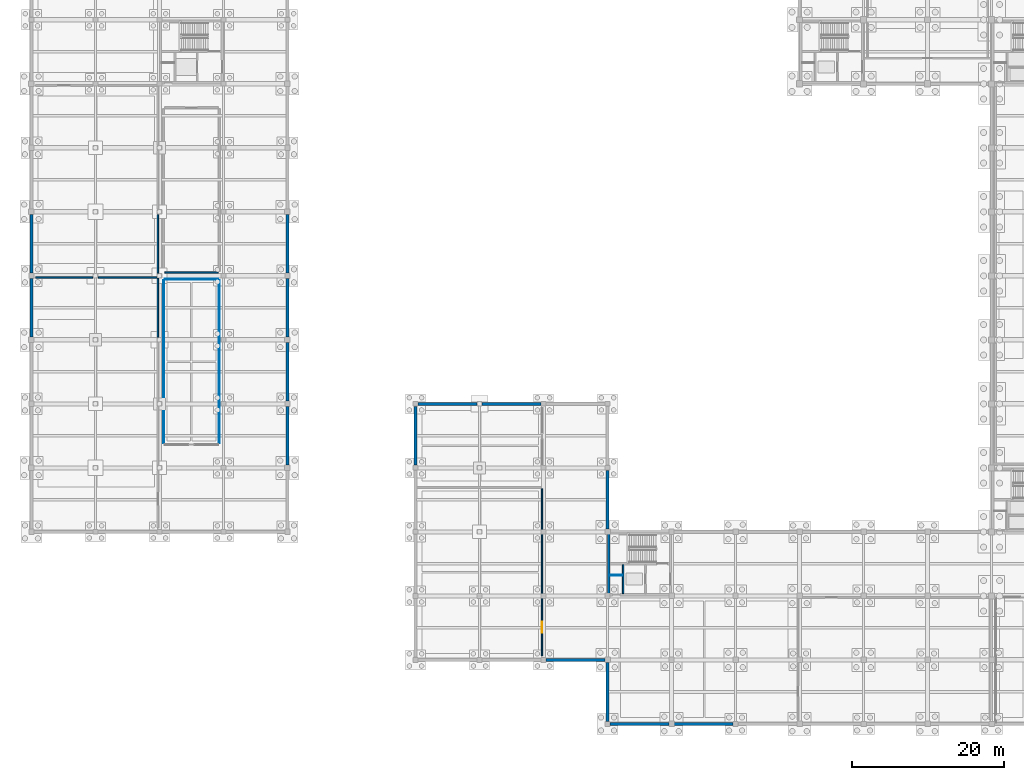
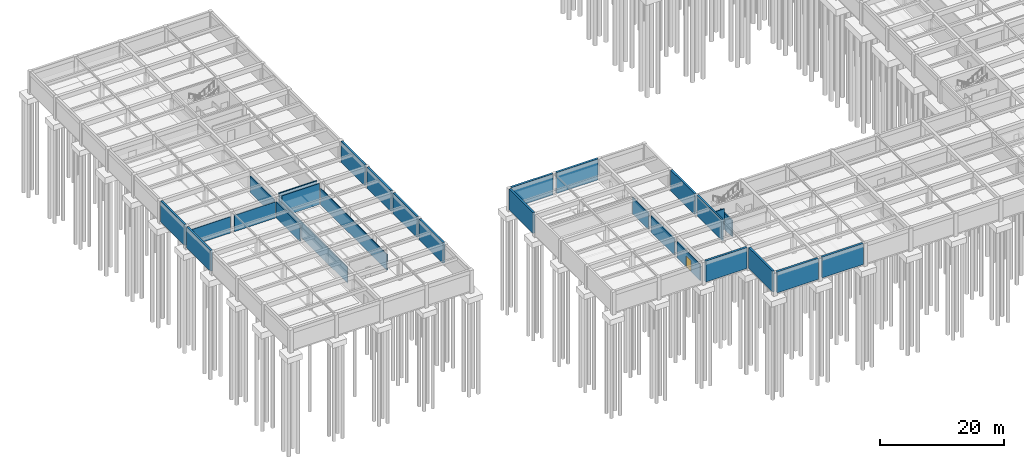
# One storey, part 17 of 33: 28 walls, 1 door, 1 opening.
"""IFC4 building model written with IfcOpenShell, lengths in metres."""

from ifc_helpers import new_model, si_unit, direction, frame, frame_2d, origin, place, context, subcontext, project, spatial, rectangle, extrude, material, layer, layer_set, type_object, element, fill, save


model = new_model("IFC4")

# Units and contexts
model_context = context("Model", 3, precision=1e-05, world=origin(), true_north=direction((0.0, 1.0)))
body_context = subcontext(model_context, "Body", "Model", "MODEL_VIEW")
ifc_project = project(units=[si_unit("LENGTHUNIT", "METRE"), si_unit("AREAUNIT", "SQUARE_METRE"), si_unit("VOLUMEUNIT", "CUBIC_METRE"), si_unit("PLANEANGLEUNIT", "RADIAN"), si_unit("MASSUNIT", "GRAM", prefix="KILO")], contexts=[model_context])

# Site, building, storey
site_placement = place(None, origin())
site = spatial("IfcSite", under=ifc_project, at=site_placement, CompositionType="ELEMENT")
building_placement = place(site_placement, origin())
building = spatial("IfcBuilding", under=site, at=building_placement, Name="Kveldsbrygga Polytechnic", CompositionType="ELEMENT")
storey_placement = place(building_placement, frame((0.0, 0.0, -4.419921875)))
storey = spatial("IfcBuildingStorey", under=building, at=storey_placement, Name="B1", CompositionType="ELEMENT", Elevation=-4.419921875)

# Wall, opening, door
ifc_material_1 = material(Name="Gypsum acoustic stud partition")
ifc_layer_1 = layer(ifc_material_1, 0.179931640625)
ifc_layer_set_1 = layer_set([ifc_layer_1], Name="Gypsum acoustic stud partition")
wall_type_1 = type_object("IfcWallType", Name="IW-CORR-180", PredefinedType="PARTITIONING", material=ifc_layer_set_1)
wall_1_placement = place(storey_placement, frame((67.0, 8.949951171875, 0.0), z_axis=(0.0, 0.0, 1.0), x_axis=(0.0, 1.0, 0.0)))
wall_1 = element("IfcWall", 1, at=wall_1_placement, inside=storey, type_object=wall_type_1, Name="Partition Wall IW-SP-B1-CYCLE-E1", PredefinedType="PARTITIONING", context=body_context, shape_type="SweptSolid", body=[
    extrude(rectangle(XDim=7.47998046875, YDim=0.179931640625, at=frame_2d((3.739990234375, 0.0))), origin(), (0.0, 0.0, 1.0), 3.219970703125),
])
opening_placement = place(wall_1_placement, frame((2.989990234375, 0.0, 0.0)))
opening = element("IfcOpeningElement", 2, at=opening_placement, cuts=wall_1, Name="Opening ID-B1-005", PredefinedType="OPENING", context=body_context, shape_type="SweptSolid", body=[
    extrude(rectangle(XDim=1.5, YDim=2.199951171875, at=frame_2d((0.75, 1.10009765625))), frame((0.0, 0.10009765625, 0.0), z_axis=(0.0, -1.0, 0.0), x_axis=(1.0, 0.0, 0.0)), (0.0, 0.0, 1.0), 0.199951171875),
])
ifc_material_2 = material(Name="Acoustic oak timber", Category="wood")
door_type = type_object("IfcDoorType", Name="ID-LAB-150x220", OperationType="DOUBLE_DOOR_SINGLE_SWING", PredefinedType="DOOR", material=ifc_material_2)
door_placement = place(opening_placement, origin())
door = element("IfcDoor", 3, at=door_placement, inside=storey, type_object=door_type, Name="Interior Door ID-B1-005", OperationType="DOUBLE_DOOR_SINGLE_SWING", OverallHeight=2.199951171875, OverallWidth=1.5, PredefinedType="DOOR", context=body_context, shape_type="SweptSolid", body=[
    extrude(rectangle(XDim=1.5, YDim=2.199951171875, at=frame_2d((0.75, 1.10009765625))), frame((0.0, 0.02490234375, 0.0), z_axis=(0.0, -1.0, 0.0), x_axis=(1.0, 0.0, 0.0)), (0.0, 0.0, 1.0), 0.050048828125),
])
fill(opening, door)

# Walls
wall_2_placement = place(storey_placement, frame((67.0, 17.169921875, 0.0), z_axis=(0.0, 0.0, 1.0), x_axis=(0.0, 1.0, 0.0)))
element("IfcWall", 4, at=wall_2_placement, inside=storey, type_object=wall_type_1, Name="Partition Wall IW-SP-B1-CYCLE-E2", PredefinedType="PARTITIONING", context=body_context, shape_type="SweptSolid", body=[
    extrude(rectangle(XDim=7.66015625, YDim=0.179931640625, at=frame_2d((3.830078125, 0.0))), origin(), (0.0, 0.0, 1.0), 3.219970703125),
])
wall_3_placement = place(storey_placement, frame((67.0, 25.570068359375, 0.0), z_axis=(0.0, 0.0, 1.0), x_axis=(0.0, 1.0, 0.0)))
element("IfcWall", 5, at=wall_3_placement, inside=storey, type_object=wall_type_1, Name="Partition Wall IW-SP-B1-CYCLE-E3", PredefinedType="PARTITIONING", context=body_context, shape_type="SweptSolid", body=[
    extrude(rectangle(XDim=5.280029296875, YDim=0.179931640625, at=frame_2d((2.64013671875, 0.0))), origin(), (0.0, 0.0, 1.0), 3.219970703125),
])
ifc_material_3 = material(Name="Fired clay brick masonry M10", Category="masonry")
ifc_layer_2 = layer(ifc_material_3, 0.199951171875)
ifc_layer_set_2 = layer_set([ifc_layer_2], Name="Fired clay brick masonry M10")
wall_type_2 = type_object("IfcWallType", Name="IW-LAB-200", PredefinedType="PARTITIONING", material=ifc_layer_set_2)
wall_4_placement = place(storey_placement, frame((16.60009765625, 50.77001953125, 0.0), z_axis=(0.0, 0.0, 1.0), x_axis=(0.0, 1.0, 0.0)))
element("IfcWall", 6, at=wall_4_placement, inside=storey, type_object=wall_type_2, Name="Partition Wall IW-SP-B1-TEST1-E4", PredefinedType="PARTITIONING", context=body_context, shape_type="SweptSolid", body=[
    extrude(rectangle(XDim=7.679931640625, YDim=0.199951171875, at=frame_2d((3.83984375, 0.0))), origin(), (0.0, 0.0, 1.0), 3.199951171875),
])
wall_5_placement = place(storey_placement, frame((0.550048828125, 58.60009765625, 0.0), z_axis=(0.0, 0.0, 1.0), x_axis=(1.0, 0.0, 0.0)))
element("IfcWall", 7, at=wall_5_placement, inside=storey, type_object=wall_type_2, Name="Partition Wall IW-SP-B1-TEST1-N1", PredefinedType="PARTITIONING", context=body_context, shape_type="SweptSolid", body=[
    extrude(rectangle(XDim=7.47998046875, YDim=0.199951171875, at=frame_2d((3.739990234375, 0.0))), origin(), (0.0, 0.0, 1.0), 3.199951171875),
])
wall_6_placement = place(storey_placement, frame((8.77001953125, 58.60009765625, 0.0), z_axis=(0.0, 0.0, 1.0), x_axis=(1.0, 0.0, 0.0)))
element("IfcWall", 8, at=wall_6_placement, inside=storey, type_object=wall_type_2, Name="Partition Wall IW-SP-B1-TEST1-N2", PredefinedType="PARTITIONING", context=body_context, shape_type="SweptSolid", body=[
    extrude(rectangle(XDim=7.679931640625, YDim=0.199951171875, at=frame_2d((3.83984375, 0.0))), origin(), (0.0, 0.0, 1.0), 3.199951171875),
])
wall_7_placement = place(storey_placement, frame((16.60009765625, 59.14990234375, 0.0), z_axis=(0.0, 0.0, 1.0), x_axis=(0.0, 1.0, 0.0)))
element("IfcWall", 9, at=wall_7_placement, inside=storey, type_object=wall_type_2, Name="Partition Wall IW-SP-B1-TEST2-E1", PredefinedType="PARTITIONING", context=body_context, shape_type="SweptSolid", body=[
    extrude(rectangle(XDim=7.68017578125, YDim=0.199951171875, at=frame_2d((3.840087890625, 0.0))), origin(), (0.0, 0.0, 1.0), 3.199951171875),
])
ifc_material_4 = material(Name="Concrete blockwork masonry", Category="masonry")
ifc_layer_3 = layer(ifc_material_4, 0.2099609375)
ifc_layer_set_3 = layer_set([ifc_layer_3], Name="Concrete blockwork masonry")
wall_type_3 = type_object("IfcWallType", Name="IW-PLT-210", PredefinedType="PARTITIONING", material=ifc_layer_set_3)
wall_8_placement = place(storey_placement, frame((17.5, 59.25, 0.0), z_axis=(0.0, 0.0, 1.0), x_axis=(1.0, 0.0, 0.0)))
element("IfcWall", 10, at=wall_8_placement, inside=storey, type_object=wall_type_3, Name="Partition Wall IW-SP-B1-PLANT1-S1", PredefinedType="PARTITIONING", context=body_context, shape_type="SweptSolid", body=[
    extrude(rectangle(XDim=7.0, YDim=0.2099609375, at=frame_2d((3.5, 0.0))), origin(), (0.0, 0.0, 1.0), 4.119873046875),
])
ifc_material_5 = material(Name="Moisture-resistant masonry M10", Category="masonry")
ifc_layer_4 = layer(ifc_material_5, 0.1298828125)
ifc_layer_set_4 = layer_set([ifc_layer_4], Name="Moisture-resistant masonry M10")
wall_type_4 = type_object("IfcWallType", Name="IW-SAN-130", PredefinedType="PARTITIONING", material=ifc_layer_set_4)
wall_9_placement = place(storey_placement, frame((75.919921875, 19.5400390625, 0.0), z_axis=(0.0, 0.0, 1.0), x_axis=(1.0, 0.0, 0.0)))
element("IfcWall", 11, at=wall_9_placement, inside=storey, type_object=wall_type_4, Name="Core AWC Divider C6-B1-W-RSR", PredefinedType="PARTITIONING", context=body_context, shape_type="SweptSolid", body=[
    extrude(rectangle(XDim=1.6201171875, YDim=0.1298828125, at=frame_2d((0.81005859375, 0.0))), origin(), (0.0, 0.0, 1.0), 4.119873046875),
])
wall_10_placement = place(storey_placement, frame((24.64990234375, 36.800048828125, 0.0), z_axis=(0.0, 0.0, 1.0), x_axis=(0.0, 1.0, 0.0)))
element("IfcWall", 12, at=wall_10_placement, inside=storey, type_object=wall_type_4, Name="Partition Wall IW-SP-B1-SHWR1-E1", PredefinedType="PARTITIONING", context=body_context, shape_type="SweptSolid", body=[
    extrude(rectangle(XDim=21.39990234375, YDim=0.1298828125, at=frame_2d((10.699951171875, 0.0))), origin(), (0.0, 0.0, 1.0), 3.199951171875),
])
wall_11_placement = place(storey_placement, frame((17.5, 58.35009765625, 0.0), z_axis=(0.0, 0.0, 1.0), x_axis=(1.0, 0.0, 0.0)))
element("IfcWall", 13, at=wall_11_placement, inside=storey, type_object=wall_type_4, Name="Partition Wall IW-SP-B1-SHWR1-N1", PredefinedType="PARTITIONING", context=body_context, shape_type="SweptSolid", body=[
    extrude(rectangle(XDim=7.0, YDim=0.1298828125, at=frame_2d((3.5, 0.0))), origin(), (0.0, 0.0, 1.0), 4.119873046875),
])
wall_12_placement = place(storey_placement, frame((17.35009765625, 36.800048828125, 0.0), z_axis=(0.0, 0.0, 1.0), x_axis=(0.0, 1.0, 0.0)))
element("IfcWall", 14, at=wall_12_placement, inside=storey, type_object=wall_type_4, Name="Partition Wall IW-SP-B1-SHWR1-W1", PredefinedType="PARTITIONING", context=body_context, shape_type="SweptSolid", body=[
    extrude(rectangle(XDim=21.39990234375, YDim=0.1298828125, at=frame_2d((10.699951171875, 0.0))), origin(), (0.0, 0.0, 1.0), 3.199951171875),
])
ifc_material_6 = material(Name="Concrete C45/55", Category="concrete")
ifc_layer_5 = layer(ifc_material_6, 0.300048828125)
ifc_layer_set_5 = layer_set([ifc_layer_5], Name="Concrete C45/55")
wall_type_5 = type_object("IfcWallType", Name="WL-CORE-300", PredefinedType="SHEAR", material=ifc_layer_set_5)
wall_13_placement = place(storey_placement, frame((75.75, 16.949951171875, 0.0), z_axis=(0.0, 0.0, 1.0), x_axis=(0.0, 1.0, 0.0)))
element("IfcWall", 15, at=wall_13_placement, inside=storey, type_object=wall_type_5, Name="Core C6 Shear Wall C6-B1-SW-W", PredefinedType="SHEAR", context=body_context, shape_type="SweptSolid", body=[
    extrude(rectangle(XDim=8.10009765625, YDim=0.300048828125, at=frame_2d((4.050048828125, 0.0))), origin(), (0.0, 0.0, 1.0), 4.119873046875),
])
ifc_material_7 = material(Name="Concrete C35/45", Category="concrete")
ifc_layer_6 = layer(ifc_material_7, 0.360107421875)
ifc_layer_set_6 = layer_set([ifc_layer_6], Name="Concrete C35/45")
wall_type_6 = type_object("IfcWallType", Name="WL-RET-360", PredefinedType="USERDEFINED", material=ifc_layer_set_6)
wall_14_placement = place(storey_placement, frame((0.0, 50.75, 0.0), z_axis=(0.0, 0.0, 1.0), x_axis=(0.0, 1.0, 0.0)))
element("IfcWall", 16, at=wall_14_placement, inside=storey, type_object=wall_type_6, Name="Basement Retaining Wall RW-W-00-06", ObjectType="RETAININGWALL", PredefinedType="USERDEFINED", context=body_context, shape_type="SweptSolid", body=[
    extrude(rectangle(XDim=7.699951171875, YDim=0.360107421875, at=frame_2d((3.85009765625, 0.0))), origin(), (0.0, 0.0, 1.0), 4.119873046875),
])
wall_15_placement = place(storey_placement, frame((0.0, 59.14990234375, 0.0), z_axis=(0.0, 0.0, 1.0), x_axis=(0.0, 1.0, 0.0)))
element("IfcWall", 17, at=wall_15_placement, inside=storey, type_object=wall_type_6, Name="Basement Retaining Wall RW-W-00-07", ObjectType="RETAININGWALL", PredefinedType="USERDEFINED", context=body_context, shape_type="SweptSolid", body=[
    extrude(rectangle(XDim=7.7001953125, YDim=0.360107421875, at=frame_2d((3.85009765625, 0.0))), origin(), (0.0, 0.0, 1.0), 4.119873046875),
])
for number, where, z_axis, x_axis, name in (
    (18, (33.60009765625, 33.949951171875, 0.0), (0.0, 0.0, 1.0), (0.0, 1.0, 0.0), "Basement Retaining Wall RW-E-03-04"),
    (19, (33.60009765625, 42.35009765625, 0.0), (0.0, 0.0, 1.0), (0.0, 1.0, 0.0), "Basement Retaining Wall RW-E-03-05"),
    (20, (33.60009765625, 50.75, 0.0), (0.0, 0.0, 1.0), (0.0, 1.0, 0.0), "Basement Retaining Wall RW-E-03-06"),
):
    element("IfcWall", number, at=place(storey_placement, frame(where, z_axis=z_axis, x_axis=x_axis)), inside=storey, type_object=wall_type_6, Name=name, ObjectType="RETAININGWALL", PredefinedType="USERDEFINED", context=body_context, shape_type="SweptSolid", body=[
        extrude(rectangle(XDim=7.699951171875, YDim=0.360107421875, at=frame_2d((3.85009765625, 0.0))), origin(), (0.0, 0.0, 1.0), 4.119873046875),
    ])
wall_16_placement = place(storey_placement, frame((33.60009765625, 59.14990234375, 0.0), z_axis=(0.0, 0.0, 1.0), x_axis=(0.0, 1.0, 0.0)))
element("IfcWall", 21, at=wall_16_placement, inside=storey, type_object=wall_type_6, Name="Basement Retaining Wall RW-E-03-07", ObjectType="RETAININGWALL", PredefinedType="USERDEFINED", context=body_context, shape_type="SweptSolid", body=[
    extrude(rectangle(XDim=7.7001953125, YDim=0.360107421875, at=frame_2d((3.85009765625, 0.0))), origin(), (0.0, 0.0, 1.0), 4.119873046875),
])
for number, where, z_axis, x_axis, name in (
    (22, (50.39990234375, 33.949951171875, 0.0), (0.0, 0.0, 1.0), (0.0, 1.0, 0.0), "Basement Retaining Wall RW-W-06-04"),
    (23, (75.60009765625, 25.550048828125, 0.0), (0.0, 0.0, 1.0), (0.0, 1.0, 0.0), "Basement Retaining Wall RW-E-08-03"),
    (24, (75.60009765625, 0.35009765625, 0.0), (0.0, 0.0, 1.0), (0.0, 1.0, 0.0), "Basement Retaining Wall RW-W-09-00"),
):
    element("IfcWall", number, at=place(storey_placement, frame(where, z_axis=z_axis, x_axis=x_axis)), inside=storey, type_object=wall_type_6, Name=name, ObjectType="RETAININGWALL", PredefinedType="USERDEFINED", context=body_context, shape_type="SweptSolid", body=[
        extrude(rectangle(XDim=7.699951171875, YDim=0.360107421875, at=frame_2d((3.85009765625, 0.0))), origin(), (0.0, 0.0, 1.0), 4.119873046875),
    ])
ifc_layer_7 = layer(ifc_material_7, 0.39990234375)
ifc_layer_set_7 = layer_set([ifc_layer_7], Name="Concrete C35/45")
wall_type_7 = type_object("IfcWallType", Name="WL-RET-400", PredefinedType="USERDEFINED", material=ifc_layer_set_7)
wall_17_placement = place(storey_placement, frame((50.75, 42.0, 0.0), z_axis=(0.0, 0.0, 1.0), x_axis=(1.0, 0.0, 0.0)))
element("IfcWall", 25, at=wall_17_placement, inside=storey, type_object=wall_type_7, Name="Basement Retaining Wall RW-N-06-04", ObjectType="RETAININGWALL", PredefinedType="USERDEFINED", context=body_context, shape_type="SweptSolid", body=[
    extrude(rectangle(XDim=7.699951171875, YDim=0.39990234375, at=frame_2d((3.85009765625, 0.0))), origin(), (0.0, 0.0, 1.0), 4.119873046875),
])
wall_18_placement = place(storey_placement, frame((59.14990234375, 42.0, 0.0), z_axis=(0.0, 0.0, 1.0), x_axis=(1.0, 0.0, 0.0)))
element("IfcWall", 26, at=wall_18_placement, inside=storey, type_object=wall_type_7, Name="Basement Retaining Wall RW-N-07-04", ObjectType="RETAININGWALL", PredefinedType="USERDEFINED", context=body_context, shape_type="SweptSolid", body=[
    extrude(rectangle(XDim=7.7001953125, YDim=0.39990234375, at=frame_2d((3.85009765625, 0.0))), origin(), (0.0, 0.0, 1.0), 4.119873046875),
])
for number, where, z_axis, x_axis, name in (
    (27, (67.550048828125, 8.39990234375, 0.0), (0.0, 0.0, 1.0), (1.0, 0.0, 0.0), "Basement Retaining Wall RW-S-08-01"),
    (28, (75.949951171875, 0.0, 0.0), (0.0, 0.0, 1.0), (1.0, 0.0, 0.0), "Basement Retaining Wall RW-S-09-00"),
    (29, (84.35009765625, 0.0, 0.0), (0.0, 0.0, 1.0), (1.0, 0.0, 0.0), "Basement Retaining Wall RW-S-10-00"),
):
    element("IfcWall", number, at=place(storey_placement, frame(where, z_axis=z_axis, x_axis=x_axis)), inside=storey, type_object=wall_type_7, Name=name, ObjectType="RETAININGWALL", PredefinedType="USERDEFINED", context=body_context, shape_type="SweptSolid", body=[
        extrude(rectangle(XDim=7.699951171875, YDim=0.39990234375, at=frame_2d((3.85009765625, 0.0))), origin(), (0.0, 0.0, 1.0), 4.119873046875),
    ])
ifc_layer_8 = layer(ifc_material_7, 0.199951171875)
ifc_layer_set_8 = layer_set([ifc_layer_8], Name="Concrete C35/45")
wall_type_8 = type_object("IfcWallType", Name="WL-SHFT-200", PredefinedType="SHEAR", material=ifc_layer_set_8)
wall_19_placement = place(storey_placement, frame((77.639892578125, 17.10009765625, 0.0), z_axis=(0.0, 0.0, 1.0), x_axis=(0.0, 1.0, 0.0)))
element("IfcWall", 30, at=wall_19_placement, inside=storey, type_object=wall_type_8, Name="Lift Back Wall C6-B1-W-LBK", PredefinedType="SHEAR", context=body_context, shape_type="SweptSolid", body=[
    extrude(rectangle(XDim=3.7998046875, YDim=0.199951171875, at=frame_2d((1.89990234375, 0.0))), origin(), (0.0, 0.0, 1.0), 3.239990234375),
])

save(model, "model.ifc")
